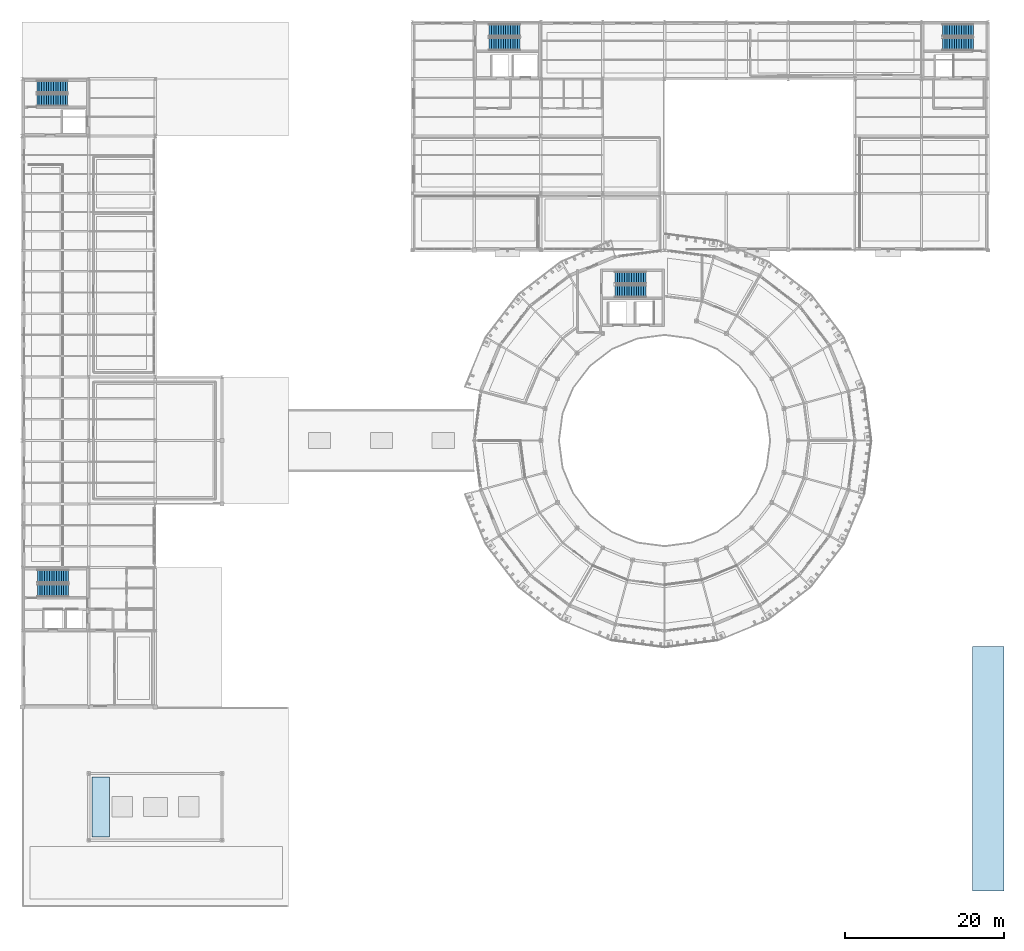
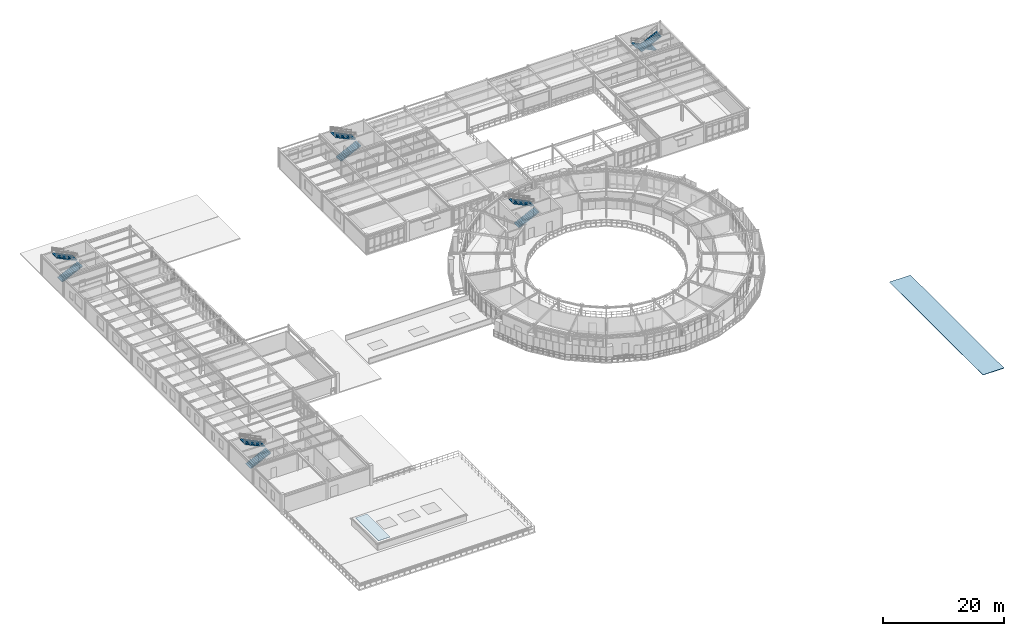
# One storey, part 60 of 70: 10 stair flights, 2 roofs, 5 elements without a shape of their own.
"""IFC4 building model written with IfcOpenShell, lengths in metres."""

from ifc_helpers import new_model, si_unit, derived_unit, direction, frame, origin, place, context, subcontext, project, spatial, polyline, outline, extrude, material, type_object, element, aggregate, save


model = new_model("IFC4")

# Units and contexts
model_context = context("Model", 3, precision=1e-05, world=origin(), true_north=direction((0.0, 1.0)))
body_context = subcontext(model_context, "Body", "Model", "MODEL_VIEW")
ifc_project = project(units=[si_unit("LENGTHUNIT", "METRE"), si_unit("AREAUNIT", "SQUARE_METRE"), si_unit("VOLUMEUNIT", "CUBIC_METRE"), si_unit("PLANEANGLEUNIT", "RADIAN"), si_unit("MASSUNIT", "GRAM", prefix="KILO"), derived_unit("THERMALTRANSMITTANCEUNIT", [(si_unit("POWERUNIT", "WATT"), 1), (si_unit("AREAUNIT", "SQUARE_METRE"), -1), (si_unit("THERMODYNAMICTEMPERATUREUNIT", "KELVIN"), -1)])], contexts=[model_context])

# Site, building, storey
site_placement = place(None, origin())
site = spatial("IfcSite", under=ifc_project, at=site_placement, CompositionType="ELEMENT")
building_placement = place(site_placement, origin())
building = spatial("IfcBuilding", under=site, at=building_placement, Name="Yasenodar Specialist Clinic", CompositionType="ELEMENT")
storey_placement = place(building_placement, frame((0.0, 0.0, 13.199951171875)))
storey = spatial("IfcBuildingStorey", under=building, at=storey_placement, Name="L03", CompositionType="ELEMENT", Elevation=13.199951171875)

# Stair, stair flights
ifc_material_1 = material(Name="Concrete C30/37", Category="concrete")
stair_type_1 = type_object("IfcStairType", Name="ST-DOG-C1-28", PredefinedType="HALF_TURN_STAIR", material=ifc_material_1)
stair_1_placement = place(storey_placement, origin())
stair_1 = element("IfcStair", 1, at=stair_1_placement, inside=storey, type_object=stair_type_1, Name="L03 Core C1 Exit Stair ST-01", PredefinedType="HALF_TURN_STAIR")
stair_flight_type_1 = type_object("IfcStairFlightType", Name="STF-C1-28", PredefinedType="STRAIGHT", material=ifc_material_1)
stair_flight_1_placement = place(storey_placement, frame((1.929931640625, 39.875, 0.0), z_axis=(0.0, 0.0, 1.0), x_axis=(1.0, 0.0, 0.0)))
stair_flight_1 = element("IfcStairFlight", 2, at=stair_flight_1_placement, type_object=stair_flight_type_1, Name="ST-01 flight 1", NumberOfRisers=14, NumberOfTreads=13, PredefinedType="STRAIGHT", RiserHeight=0.144642857, TreadLength=0.3, context=body_context, shape_type="SweptSolid", body=[
    extrude(outline(polyline([(0.0, 0.0), (0.0, 0.14453125), (0.300048828125, 0.14453125), (0.300048828125, 0.289306640625), (0.60009765625, 0.289306640625), (0.60009765625, 0.433837890625), (0.89990234375, 0.433837890625), (0.89990234375, 0.57861328125), (1.199951171875, 0.57861328125), (1.199951171875, 0.72314453125), (1.5, 0.72314453125), (1.5, 0.867919921875), (1.800048828125, 0.867919921875), (1.800048828125, 1.012451171875), (2.10009765625, 1.012451171875), (2.10009765625, 1.1572265625), (2.39990234375, 1.1572265625), (2.39990234375, 1.3017578125), (2.699951171875, 1.3017578125), (2.699951171875, 1.446533203125), (3.0, 1.446533203125), (3.0, 1.591064453125), (3.300048828125, 1.591064453125), (3.300048828125, 1.735595703125), (3.60009765625, 1.735595703125), (3.60009765625, 1.88037109375), (3.89990234375, 1.88037109375), (3.89990234375, 2.02490234375), (3.89990234375, 1.702880859375), (0.3681640625, 0.0), (0.0, 0.0)])), frame((0.0, 0.81494140625, 0.0), z_axis=(0.0, -1.0, 0.0), x_axis=(1.0, 0.0, 0.0)), (0.0, 0.0, 1.0), 1.6298828125),
])
stair_flight_2_placement = place(storey_placement, frame((5.830078125, 41.695068359375, 2.025146484375), z_axis=(0.0, 0.0, 1.0), x_axis=(-1.0, 0.0, 0.0)))
stair_flight_2 = element("IfcStairFlight", 3, at=stair_flight_2_placement, type_object=stair_flight_type_1, Name="ST-01 flight 2", NumberOfRisers=14, NumberOfTreads=13, PredefinedType="STRAIGHT", RiserHeight=0.144642857, TreadLength=0.3, context=body_context, shape_type="SweptSolid", body=[
    extrude(outline(polyline([(0.0, 0.0), (0.0, 0.14453125), (0.300048828125, 0.14453125), (0.300048828125, 0.289306640625), (0.60009765625, 0.289306640625), (0.60009765625, 0.433837890625), (0.89990234375, 0.433837890625), (0.89990234375, 0.57861328125), (1.199951171875, 0.57861328125), (1.199951171875, 0.72314453125), (1.5, 0.72314453125), (1.5, 0.867919921875), (1.800048828125, 0.867919921875), (1.800048828125, 1.012451171875), (2.10009765625, 1.012451171875), (2.10009765625, 1.1572265625), (2.39990234375, 1.1572265625), (2.39990234375, 1.3017578125), (2.699951171875, 1.3017578125), (2.699951171875, 1.446533203125), (3.0, 1.446533203125), (3.0, 1.591064453125), (3.300048828125, 1.591064453125), (3.300048828125, 1.735595703125), (3.60009765625, 1.735595703125), (3.60009765625, 1.88037109375), (3.89990234375, 1.88037109375), (3.89990234375, 2.02490234375), (3.89990234375, 1.702880859375), (0.3681640625, 0.0), (0.0, 0.0)])), frame((0.0, 0.81494140625, 0.0), z_axis=(0.0, -1.0, 0.0), x_axis=(1.0, 0.0, 0.0)), (0.0, 0.0, 1.0), 1.6298828125),
])
aggregate(stair_1, [stair_flight_1, stair_flight_2])

stair_type_2 = type_object("IfcStairType", Name="ST-DOG-C2-28", PredefinedType="HALF_TURN_STAIR", material=ifc_material_1)
stair_2_placement = place(storey_placement, origin())
stair_2 = element("IfcStair", 4, at=stair_2_placement, inside=storey, type_object=stair_type_2, Name="L03 Core C2 Exit Stair ST-02", PredefinedType="HALF_TURN_STAIR")
stair_flight_type_2 = type_object("IfcStairFlightType", Name="STF-C2-28", PredefinedType="STRAIGHT", material=ifc_material_1)
stair_flight_3_placement = place(storey_placement, frame((1.840087890625, 101.72998046875, 0.0), z_axis=(0.0, 0.0, 1.0), x_axis=(1.0, 0.0, 0.0)))
stair_flight_3 = element("IfcStairFlight", 5, at=stair_flight_3_placement, type_object=stair_flight_type_2, Name="ST-02 flight 1", NumberOfRisers=14, NumberOfTreads=13, PredefinedType="STRAIGHT", RiserHeight=0.144642857, TreadLength=0.3, context=body_context, shape_type="SweptSolid", body=[
    extrude(outline(polyline([(0.0, 0.0), (0.0, 0.14453125), (0.300048828125, 0.14453125), (0.300048828125, 0.289306640625), (0.60009765625, 0.289306640625), (0.60009765625, 0.433837890625), (0.89990234375, 0.433837890625), (0.89990234375, 0.57861328125), (1.199951171875, 0.57861328125), (1.199951171875, 0.72314453125), (1.5, 0.72314453125), (1.5, 0.867919921875), (1.800048828125, 0.867919921875), (1.800048828125, 1.012451171875), (2.10009765625, 1.012451171875), (2.10009765625, 1.1572265625), (2.39990234375, 1.1572265625), (2.39990234375, 1.3017578125), (2.699951171875, 1.3017578125), (2.699951171875, 1.446533203125), (3.0, 1.446533203125), (3.0, 1.591064453125), (3.300048828125, 1.591064453125), (3.300048828125, 1.735595703125), (3.60009765625, 1.735595703125), (3.60009765625, 1.88037109375), (3.89990234375, 1.88037109375), (3.89990234375, 2.02490234375), (3.89990234375, 1.702880859375), (0.3681640625, 0.0), (0.0, 0.0)])), frame((0.0, 0.77001953125, 0.0), z_axis=(0.0, -1.0, 0.0), x_axis=(1.0, 0.0, 0.0)), (0.0, 0.0, 1.0), 1.5400390625),
])
stair_flight_4_placement = place(storey_placement, frame((5.739990234375, 103.429931640625, 2.025146484375), z_axis=(0.0, 0.0, 1.0), x_axis=(-1.0, 0.0, 0.0)))
stair_flight_4 = element("IfcStairFlight", 6, at=stair_flight_4_placement, type_object=stair_flight_type_2, Name="ST-02 flight 2", NumberOfRisers=14, NumberOfTreads=13, PredefinedType="STRAIGHT", RiserHeight=0.144642857, TreadLength=0.3, context=body_context, shape_type="SweptSolid", body=[
    extrude(outline(polyline([(0.0, 0.0), (0.0, 0.14453125), (0.300048828125, 0.14453125), (0.300048828125, 0.289306640625), (0.60009765625, 0.289306640625), (0.60009765625, 0.433837890625), (0.89990234375, 0.433837890625), (0.89990234375, 0.57861328125), (1.199951171875, 0.57861328125), (1.199951171875, 0.72314453125), (1.5, 0.72314453125), (1.5, 0.867919921875), (1.800048828125, 0.867919921875), (1.800048828125, 1.012451171875), (2.10009765625, 1.012451171875), (2.10009765625, 1.1572265625), (2.39990234375, 1.1572265625), (2.39990234375, 1.3017578125), (2.699951171875, 1.3017578125), (2.699951171875, 1.446533203125), (3.0, 1.446533203125), (3.0, 1.591064453125), (3.300048828125, 1.591064453125), (3.300048828125, 1.735595703125), (3.60009765625, 1.735595703125), (3.60009765625, 1.88037109375), (3.89990234375, 1.88037109375), (3.89990234375, 2.02490234375), (3.89990234375, 1.702880859375), (0.3681640625, 0.0), (0.0, 0.0)])), frame((0.0, 0.77001953125, 0.0), z_axis=(0.0, -1.0, 0.0), x_axis=(1.0, 0.0, 0.0)), (0.0, 0.0, 1.0), 1.5400390625),
])
aggregate(stair_2, [stair_flight_3, stair_flight_4])

stair_3_placement = place(storey_placement, origin())
stair_3 = element("IfcStair", 7, at=stair_3_placement, inside=storey, type_object=stair_type_2, Name="L03 Core C3 Exit Stair ST-03", PredefinedType="HALF_TURN_STAIR")
stair_flight_5_placement = place(storey_placement, frame((74.739990234375, 77.6298828125, 0.0), z_axis=(0.0, 0.0, 1.0), x_axis=(1.0, 0.0, 0.0)))
stair_flight_5 = element("IfcStairFlight", 8, at=stair_flight_5_placement, type_object=stair_flight_type_2, Name="ST-03 flight 1", NumberOfRisers=14, NumberOfTreads=13, PredefinedType="STRAIGHT", RiserHeight=0.144642857, TreadLength=0.3, context=body_context, shape_type="SweptSolid", body=[
    extrude(outline(polyline([(0.0, 0.0), (0.0, 0.14453125), (0.300048828125, 0.14453125), (0.300048828125, 0.289306640625), (0.60009765625, 0.289306640625), (0.60009765625, 0.433837890625), (0.89990234375, 0.433837890625), (0.89990234375, 0.57861328125), (1.199951171875, 0.57861328125), (1.199951171875, 0.72314453125), (1.5, 0.72314453125), (1.5, 0.867919921875), (1.800048828125, 0.867919921875), (1.800048828125, 1.012451171875), (2.10009765625, 1.012451171875), (2.10009765625, 1.1572265625), (2.39990234375, 1.1572265625), (2.39990234375, 1.3017578125), (2.699951171875, 1.3017578125), (2.699951171875, 1.446533203125), (3.0, 1.446533203125), (3.0, 1.591064453125), (3.300048828125, 1.591064453125), (3.300048828125, 1.735595703125), (3.60009765625, 1.735595703125), (3.60009765625, 1.88037109375), (3.89990234375, 1.88037109375), (3.89990234375, 2.02490234375), (3.89990234375, 1.702880859375), (0.3681640625, 0.0), (0.0, 0.0)])), frame((0.0, 0.77001953125, 0.0), z_axis=(0.0, -1.0, 0.0), x_axis=(1.0, 0.0, 0.0)), (0.0, 0.0, 1.0), 1.5400390625),
])
stair_flight_6_placement = place(storey_placement, frame((78.639892578125, 79.340087890625, 2.025146484375), z_axis=(0.0, 0.0, 1.0), x_axis=(-1.0, 0.0, 0.0)))
stair_flight_6 = element("IfcStairFlight", 9, at=stair_flight_6_placement, type_object=stair_flight_type_2, Name="ST-03 flight 2", NumberOfRisers=14, NumberOfTreads=13, PredefinedType="STRAIGHT", RiserHeight=0.144642857, TreadLength=0.3, context=body_context, shape_type="SweptSolid", body=[
    extrude(outline(polyline([(0.0, 0.0), (0.0, 0.14453125), (0.300048828125, 0.14453125), (0.300048828125, 0.289306640625), (0.60009765625, 0.289306640625), (0.60009765625, 0.433837890625), (0.89990234375, 0.433837890625), (0.89990234375, 0.57861328125), (1.199951171875, 0.57861328125), (1.199951171875, 0.72314453125), (1.5, 0.72314453125), (1.5, 0.867919921875), (1.800048828125, 0.867919921875), (1.800048828125, 1.012451171875), (2.10009765625, 1.012451171875), (2.10009765625, 1.1572265625), (2.39990234375, 1.1572265625), (2.39990234375, 1.3017578125), (2.699951171875, 1.3017578125), (2.699951171875, 1.446533203125), (3.0, 1.446533203125), (3.0, 1.591064453125), (3.300048828125, 1.591064453125), (3.300048828125, 1.735595703125), (3.60009765625, 1.735595703125), (3.60009765625, 1.88037109375), (3.89990234375, 1.88037109375), (3.89990234375, 2.02490234375), (3.89990234375, 1.702880859375), (0.3681640625, 0.0), (0.0, 0.0)])), frame((0.0, 0.77001953125, 0.0), z_axis=(0.0, -1.0, 0.0), x_axis=(1.0, 0.0, 0.0)), (0.0, 0.0, 1.0), 1.5400390625),
])
aggregate(stair_3, [stair_flight_5, stair_flight_6])

stair_type_3 = type_object("IfcStairType", Name="ST-DOG-C4-28", PredefinedType="HALF_TURN_STAIR", material=ifc_material_1)
stair_4_placement = place(storey_placement, origin())
stair_4 = element("IfcStair", 10, at=stair_4_placement, inside=storey, type_object=stair_type_3, Name="L03 Core C4 Exit Stair ST-04", PredefinedType="HALF_TURN_STAIR")
stair_flight_type_3 = type_object("IfcStairFlightType", Name="STF-C4-28", PredefinedType="STRAIGHT", material=ifc_material_1)
stair_flight_7_placement = place(storey_placement, frame((58.8701171875, 108.794921875, 0.0), z_axis=(0.0, 0.0, 1.0), x_axis=(1.0, 0.0, 0.0)))
stair_flight_7 = element("IfcStairFlight", 11, at=stair_flight_7_placement, type_object=stair_flight_type_3, Name="ST-04 flight 1", NumberOfRisers=14, NumberOfTreads=13, PredefinedType="STRAIGHT", RiserHeight=0.144642857, TreadLength=0.3, context=body_context, shape_type="SweptSolid", body=[
    extrude(outline(polyline([(0.0, 0.0), (0.0, 0.14453125), (0.300048828125, 0.14453125), (0.300048828125, 0.289306640625), (0.60009765625, 0.289306640625), (0.60009765625, 0.433837890625), (0.89990234375, 0.433837890625), (0.89990234375, 0.57861328125), (1.199951171875, 0.57861328125), (1.199951171875, 0.72314453125), (1.5, 0.72314453125), (1.5, 0.867919921875), (1.800048828125, 0.867919921875), (1.800048828125, 1.012451171875), (2.10009765625, 1.012451171875), (2.10009765625, 1.1572265625), (2.39990234375, 1.1572265625), (2.39990234375, 1.3017578125), (2.699951171875, 1.3017578125), (2.699951171875, 1.446533203125), (3.0, 1.446533203125), (3.0, 1.591064453125), (3.300048828125, 1.591064453125), (3.300048828125, 1.735595703125), (3.60009765625, 1.735595703125), (3.60009765625, 1.88037109375), (3.89990234375, 1.88037109375), (3.89990234375, 2.02490234375), (3.89990234375, 1.702880859375), (0.3681640625, 0.0), (0.0, 0.0)])), frame((0.0, 0.78515625, 0.0), z_axis=(0.0, -1.0, 0.0), x_axis=(1.0, 0.0, 0.0)), (0.0, 0.0, 1.0), 1.570068359375),
])
stair_flight_8_placement = place(storey_placement, frame((62.77001953125, 110.52490234375, 2.025146484375), z_axis=(0.0, 0.0, 1.0), x_axis=(-1.0, 0.0, 0.0)))
stair_flight_8 = element("IfcStairFlight", 12, at=stair_flight_8_placement, type_object=stair_flight_type_3, Name="ST-04 flight 2", NumberOfRisers=14, NumberOfTreads=13, PredefinedType="STRAIGHT", RiserHeight=0.144642857, TreadLength=0.3, context=body_context, shape_type="SweptSolid", body=[
    extrude(outline(polyline([(0.0, 0.0), (0.0, 0.14453125), (0.300048828125, 0.14453125), (0.300048828125, 0.289306640625), (0.60009765625, 0.289306640625), (0.60009765625, 0.433837890625), (0.89990234375, 0.433837890625), (0.89990234375, 0.57861328125), (1.199951171875, 0.57861328125), (1.199951171875, 0.72314453125), (1.5, 0.72314453125), (1.5, 0.867919921875), (1.800048828125, 0.867919921875), (1.800048828125, 1.012451171875), (2.10009765625, 1.012451171875), (2.10009765625, 1.1572265625), (2.39990234375, 1.1572265625), (2.39990234375, 1.3017578125), (2.699951171875, 1.3017578125), (2.699951171875, 1.446533203125), (3.0, 1.446533203125), (3.0, 1.591064453125), (3.300048828125, 1.591064453125), (3.300048828125, 1.735595703125), (3.60009765625, 1.735595703125), (3.60009765625, 1.88037109375), (3.89990234375, 1.88037109375), (3.89990234375, 2.02490234375), (3.89990234375, 1.702880859375), (0.3681640625, 0.0), (0.0, 0.0)])), frame((0.0, 0.78515625, 0.0), z_axis=(0.0, -1.0, 0.0), x_axis=(1.0, 0.0, 0.0)), (0.0, 0.0, 1.0), 1.570068359375),
])
aggregate(stair_4, [stair_flight_7, stair_flight_8])

stair_5_placement = place(storey_placement, origin())
stair_5 = element("IfcStair", 13, at=stair_5_placement, inside=storey, type_object=stair_type_3, Name="L03 Core C5 Exit Stair ST-05", PredefinedType="HALF_TURN_STAIR")
stair_flight_9_placement = place(storey_placement, frame((119.929931640625, 110.52490234375, 0.0), z_axis=(0.0, 0.0, 1.0), x_axis=(-1.0, 0.0, 0.0)))
stair_flight_9 = element("IfcStairFlight", 14, at=stair_flight_9_placement, type_object=stair_flight_type_3, Name="ST-05 flight 1", NumberOfRisers=14, NumberOfTreads=13, PredefinedType="STRAIGHT", RiserHeight=0.144642857, TreadLength=0.3, context=body_context, shape_type="SweptSolid", body=[
    extrude(outline(polyline([(0.0, 0.0), (0.0, 0.14453125), (0.300048828125, 0.14453125), (0.300048828125, 0.289306640625), (0.60009765625, 0.289306640625), (0.60009765625, 0.433837890625), (0.89990234375, 0.433837890625), (0.89990234375, 0.57861328125), (1.199951171875, 0.57861328125), (1.199951171875, 0.72314453125), (1.5, 0.72314453125), (1.5, 0.867919921875), (1.800048828125, 0.867919921875), (1.800048828125, 1.012451171875), (2.10009765625, 1.012451171875), (2.10009765625, 1.1572265625), (2.39990234375, 1.1572265625), (2.39990234375, 1.3017578125), (2.699951171875, 1.3017578125), (2.699951171875, 1.446533203125), (3.0, 1.446533203125), (3.0, 1.591064453125), (3.300048828125, 1.591064453125), (3.300048828125, 1.735595703125), (3.60009765625, 1.735595703125), (3.60009765625, 1.88037109375), (3.89990234375, 1.88037109375), (3.89990234375, 2.02490234375), (3.89990234375, 1.702880859375), (0.3681640625, 0.0), (0.0, 0.0)])), frame((0.0, 0.78515625, 0.0), z_axis=(0.0, -1.0, 0.0), x_axis=(1.0, 0.0, 0.0)), (0.0, 0.0, 1.0), 1.570068359375),
])
stair_flight_10_placement = place(storey_placement, frame((116.030029296875, 108.794921875, 2.025146484375), z_axis=(0.0, 0.0, 1.0), x_axis=(1.0, 0.0, 0.0)))
stair_flight_10 = element("IfcStairFlight", 15, at=stair_flight_10_placement, type_object=stair_flight_type_3, Name="ST-05 flight 2", NumberOfRisers=14, NumberOfTreads=13, PredefinedType="STRAIGHT", RiserHeight=0.144642857, TreadLength=0.3, context=body_context, shape_type="SweptSolid", body=[
    extrude(outline(polyline([(0.0, 0.0), (0.0, 0.14453125), (0.300048828125, 0.14453125), (0.300048828125, 0.289306640625), (0.60009765625, 0.289306640625), (0.60009765625, 0.433837890625), (0.89990234375, 0.433837890625), (0.89990234375, 0.57861328125), (1.199951171875, 0.57861328125), (1.199951171875, 0.72314453125), (1.5, 0.72314453125), (1.5, 0.867919921875), (1.800048828125, 0.867919921875), (1.800048828125, 1.012451171875), (2.10009765625, 1.012451171875), (2.10009765625, 1.1572265625), (2.39990234375, 1.1572265625), (2.39990234375, 1.3017578125), (2.699951171875, 1.3017578125), (2.699951171875, 1.446533203125), (3.0, 1.446533203125), (3.0, 1.591064453125), (3.300048828125, 1.591064453125), (3.300048828125, 1.735595703125), (3.60009765625, 1.735595703125), (3.60009765625, 1.88037109375), (3.89990234375, 1.88037109375), (3.89990234375, 2.02490234375), (3.89990234375, 1.702880859375), (0.3681640625, 0.0), (0.0, 0.0)])), frame((0.0, 0.78515625, 0.0), z_axis=(0.0, -1.0, 0.0), x_axis=(1.0, 0.0, 0.0)), (0.0, 0.0, 1.0), 1.570068359375),
])
aggregate(stair_5, [stair_flight_9, stair_flight_10])

# Roofs
ifc_material_2 = material(Name="Standing-Seam Zinc and Steel S355", Category="steel")
roof_type = type_object("IfcRoofType", Name="RF-PAVILION", PredefinedType="PAVILION_ROOF", material=ifc_material_2)
roof_1_placement = place(storey_placement, frame((0.0, 0.0, 1.400146484375)))
element("IfcRoof", 16, at=roof_1_placement, inside=storey, type_object=roof_type, Name="Imaging Lantern West Cap Roof", PredefinedType="PAVILION_ROOF", context=body_context, shape_type="SweptSolid", body=[
    extrude(outline(polyline([(8.800048828125, 8.800048828125), (11.0, 8.800048828125), (11.0, 16.39990234375), (8.800048828125, 16.39990234375), (8.800048828125, 8.800048828125)])), origin(), (0.0, 0.0, 1.0), 0.079833984375),
])
roof_2_placement = place(storey_placement, frame((0.0, 0.0, -0.02001953125)))
element("IfcRoof", 17, at=roof_2_placement, inside=storey, type_object=roof_type, Name="Conservatory Ridge Lantern Roof", PredefinedType="PAVILION_ROOF", context=body_context, shape_type="SweptSolid", body=[
    extrude(outline(polyline([(119.800048828125, 2.0), (123.800048828125, 2.0), (123.800048828125, 32.800048828125), (119.800048828125, 32.800048828125), (119.800048828125, 2.0)])), origin(), (0.0, 0.0, 1.0), 0.080078125),
])

save(model, "model.ifc")
